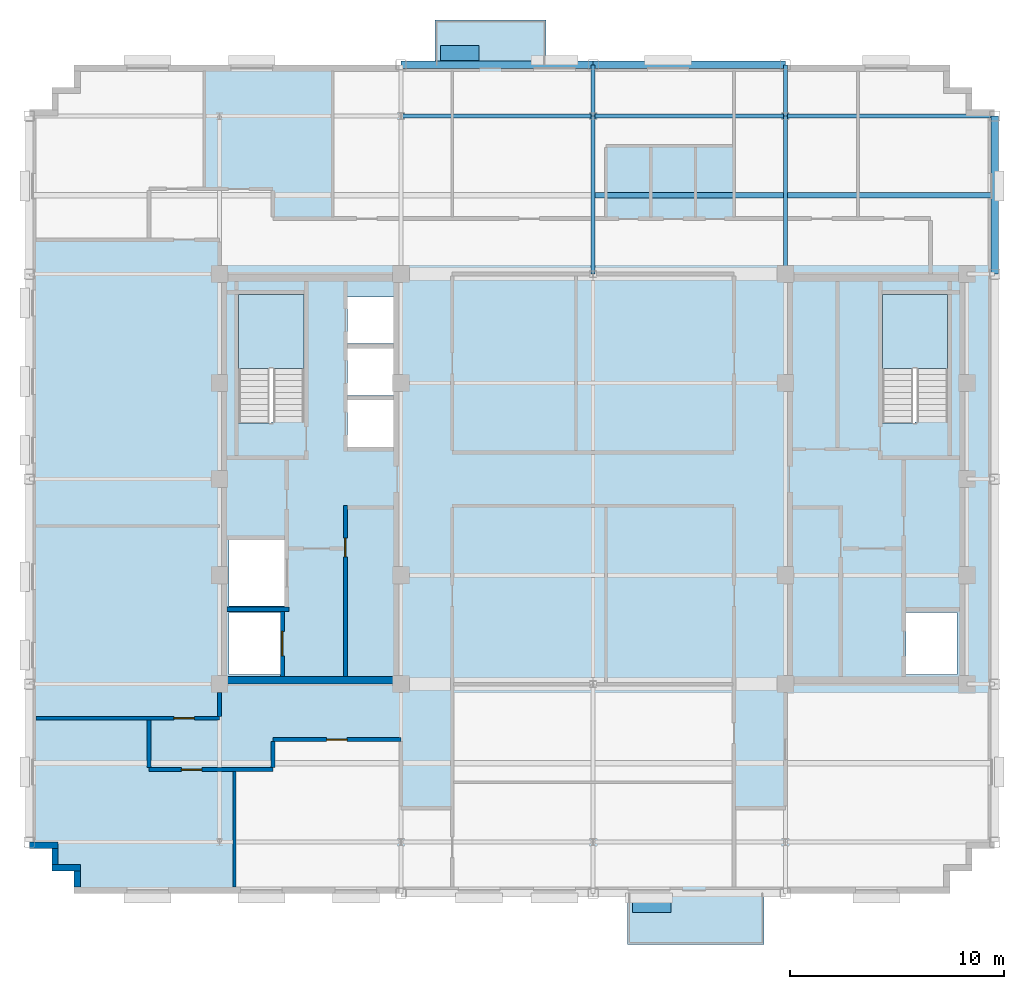
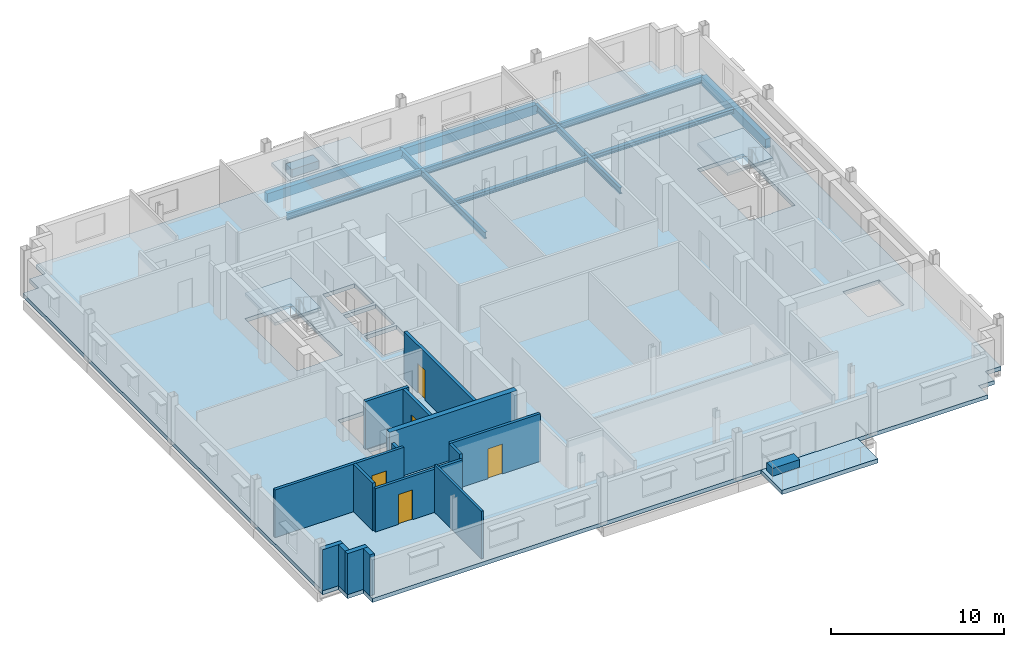
# One storey, part 5 of 13: 15 walls, 12 beams, 5 doors, 5 slabs, 2 plates, 5 openings, 2 elements without a shape of their own.
"""IFC4 building model written with IfcOpenShell, lengths in metres."""

from ifc_helpers import new_model, si_unit, direction, frame, frame_2d, origin, origin_2d, place, context, subcontext, project, spatial, polyline, rectangle, i_section, outline, extrude, source, transform, mapped, material, layer, layer_set, material_profile, profile_set, type_object, type_shapes, element, fill, aggregate, save


model = new_model("IFC4")

# Units and contexts
model_context = context("Model", 3, precision=1e-05, world=origin(), true_north=direction((0.0, 1.0)))
body_context = subcontext(model_context, "Body", "Model", "MODEL_VIEW")
ifc_project = project(units=[si_unit("LENGTHUNIT", "METRE"), si_unit("AREAUNIT", "SQUARE_METRE"), si_unit("VOLUMEUNIT", "CUBIC_METRE"), si_unit("PLANEANGLEUNIT", "RADIAN"), si_unit("MASSUNIT", "GRAM", prefix="KILO")], contexts=[model_context])

# Site, building, storey
site_placement = place(None, origin())
site = spatial("IfcSite", under=ifc_project, at=site_placement, CompositionType="ELEMENT")
building_placement = place(site_placement, origin())
building = spatial("IfcBuilding", under=site, at=building_placement, Name="Nuvemarco Arch Tower", CompositionType="ELEMENT")
storey_placement = place(building_placement, frame((0.0, 0.0, 234.699951171875)))
storey = spatial("IfcBuildingStorey", under=building, at=storey_placement, Name="L62", CompositionType="ELEMENT", Elevation=234.699951171875)

# Beams
ifc_material_1 = material(Name="Steel S355", Category="steel")
ifc_material_profile_1 = material_profile(ifc_material_1, i_section(OverallWidth=0.19189453125, OverallDepth=0.462890625, WebThickness=0.010498046875, FlangeThickness=0.017578125, FilletRadius=0.014892578125, at=origin_2d()), Name="W460x89")
ifc_profile_set_1 = profile_set([ifc_material_profile_1], Name="Steel S355")
beam_type_1 = type_object("IfcBeamType", Name="BM-GIRD-460", PredefinedType="BEAM", material=ifc_profile_set_1)
beam_1_placement = place(storey_placement, frame((0.0, 9.60009765625, -0.511474609375), z_axis=(0.0, 1.0, 0.0), x_axis=(-1.0, 0.0, 0.0)))
element("IfcBeam", 1, at=beam_1_placement, inside=storey, type_object=beam_type_1, Name="L62 structural beam BGNS_L62_0_+0.0_+9.6", PredefinedType="BEAM", context=body_context, shape_type="SweptSolid", body=[
    extrude(i_section(OverallWidth=0.19189453125, OverallDepth=0.462890625, WebThickness=0.010498046875, FlangeThickness=0.017578125, FilletRadius=0.014892578125, at=origin_2d()), origin(), (0.0, 0.0, 1.0), 7.39990234375),
])
beam_2_placement = place(storey_placement, frame((0.0, 17.0, -0.511474609375), z_axis=(0.0, 1.0, 0.0), x_axis=(-1.0, 0.0, 0.0)))
element("IfcBeam", 2, at=beam_2_placement, inside=storey, type_object=beam_type_1, Name="L62 structural beam BGNS_L62_0_+0.0_+17.0", PredefinedType="BEAM", context=body_context, shape_type="SweptSolid", body=[
    extrude(i_section(OverallWidth=0.19189453125, OverallDepth=0.462890625, WebThickness=0.010498046875, FlangeThickness=0.017578125, FilletRadius=0.014892578125, at=origin_2d()), origin(), (0.0, 0.0, 1.0), 2.39990234375),
])
beam_3_placement = place(storey_placement, frame((9.0, 9.60009765625, -0.511474609375), z_axis=(0.0, 1.0, 0.0), x_axis=(-1.0, 0.0, 0.0)))
element("IfcBeam", 3, at=beam_3_placement, inside=storey, type_object=beam_type_1, Name="L62 structural beam BGNS_L62_0_+9.0_+9.6", PredefinedType="BEAM", context=body_context, shape_type="SweptSolid", body=[
    extrude(i_section(OverallWidth=0.19189453125, OverallDepth=0.462890625, WebThickness=0.010498046875, FlangeThickness=0.017578125, FilletRadius=0.014892578125, at=origin_2d()), origin(), (0.0, 0.0, 1.0), 7.39990234375),
])
beam_4_placement = place(storey_placement, frame((9.0, 17.0, -0.511474609375), z_axis=(0.0, 1.0, 0.0), x_axis=(-1.0, 0.0, 0.0)))
element("IfcBeam", 4, at=beam_4_placement, inside=storey, type_object=beam_type_1, Name="L62 structural beam BGNS_L62_0_+9.0_+17.0", PredefinedType="BEAM", context=body_context, shape_type="SweptSolid", body=[
    extrude(i_section(OverallWidth=0.19189453125, OverallDepth=0.462890625, WebThickness=0.010498046875, FlangeThickness=0.017578125, FilletRadius=0.014892578125, at=origin_2d()), origin(), (0.0, 0.0, 1.0), 2.39990234375),
])
for number, where, z_axis, x_axis, name in (
    (5, (-9.0, 17.0, -0.511474609375), (1.0, 0.0, 0.0), (0.0, 1.0, 0.0), "L62 structural beam BGEW_L62_0_+17.0_-9.0"),
    (6, (0.0, 17.0, -0.511474609375), (1.0, 0.0, 0.0), (0.0, 1.0, 0.0), "L62 structural beam BGEW_L62_0_+17.0_+0.0"),
):
    element("IfcBeam", number, at=place(storey_placement, frame(where, z_axis=z_axis, x_axis=x_axis)), inside=storey, type_object=beam_type_1, Name=name, PredefinedType="BEAM", context=body_context, shape_type="SweptSolid", body=[
        extrude(i_section(OverallWidth=0.19189453125, OverallDepth=0.462890625, WebThickness=0.010498046875, FlangeThickness=0.017578125, FilletRadius=0.014892578125, at=origin_2d()), origin(), (0.0, 0.0, 1.0), 9.0),
    ])
beam_5_placement = place(storey_placement, frame((9.0, 17.0, -0.511474609375), z_axis=(1.0, 0.0, 0.0), x_axis=(0.0, 1.0, 0.0)))
element("IfcBeam", 7, at=beam_5_placement, inside=storey, type_object=beam_type_1, Name="L62 structural beam BGEW_L62_0_+17.0_+9.0", PredefinedType="BEAM", context=body_context, shape_type="SweptSolid", body=[
    extrude(i_section(OverallWidth=0.19189453125, OverallDepth=0.462890625, WebThickness=0.010498046875, FlangeThickness=0.017578125, FilletRadius=0.014892578125, at=origin_2d()), origin(), (0.0, 0.0, 1.0), 9.800048828125),
])
ifc_material_profile_2 = material_profile(ifc_material_1, i_section(OverallWidth=0.25390625, OverallDepth=0.305908203125, WebThickness=0.0087890625, FlangeThickness=0.0146484375, FilletRadius=0.014892578125, at=origin_2d()), Name="W310x79")
ifc_profile_set_2 = profile_set([ifc_material_profile_2], Name="Steel S355")
beam_type_2 = type_object("IfcBeamType", Name="BM-JOIST-310H", PredefinedType="JOIST", material=ifc_profile_set_2)
beam_6_placement = place(storey_placement, frame((0.095947265625, 13.300048828125, -0.432861328125), z_axis=(1.0, 0.0, 0.0), x_axis=(0.0, 1.0, 0.0)))
element("IfcBeam", 8, at=beam_6_placement, inside=storey, type_object=beam_type_2, Name="L62 structural beam BJ_L62_0_+13.3_+0.0", PredefinedType="JOIST", context=body_context, shape_type="SweptSolid", body=[
    extrude(i_section(OverallWidth=0.25390625, OverallDepth=0.305908203125, WebThickness=0.0087890625, FlangeThickness=0.0146484375, FilletRadius=0.014892578125, at=origin_2d()), origin(), (0.0, 0.0, 1.0), 8.80810546875),
])
beam_7_placement = place(storey_placement, frame((9.095947265625, 13.300048828125, -0.432861328125), z_axis=(1.0, 0.0, 0.0), x_axis=(0.0, 1.0, 0.0)))
element("IfcBeam", 9, at=beam_7_placement, inside=storey, type_object=beam_type_2, Name="L62 structural beam BJ_L62_0_+13.3_+9.0", PredefinedType="JOIST", context=body_context, shape_type="SweptSolid", body=[
    extrude(i_section(OverallWidth=0.25390625, OverallDepth=0.305908203125, WebThickness=0.0087890625, FlangeThickness=0.0146484375, FilletRadius=0.014892578125, at=origin_2d()), origin(), (0.0, 0.0, 1.0), 9.529052734375),
])
ifc_material_2 = material(Name="Precast concrete C45/55", Category="concrete")
ifc_material_profile_3 = material_profile(ifc_material_2, rectangle(XDim=0.35009765625, YDim=0.64990234375, at=origin_2d()), Name="PC-SP-350x650")
ifc_profile_set_3 = profile_set([ifc_material_profile_3], Name="Precast concrete C45/55")
beam_type_3 = type_object("IfcBeamType", Name="BM-SPAN-RC", PredefinedType="SPANDREL", material=ifc_profile_set_3)
beam_8_placement = place(storey_placement, frame((18.800048828125, 9.60009765625, -0.60498046875), z_axis=(0.0, 1.0, 0.0), x_axis=(-1.0, 0.0, 0.0)))
element("IfcBeam", 10, at=beam_8_placement, inside=storey, type_object=beam_type_3, Name="L62 structural beam BGNS_L62_0_+18.8_+9.6", PredefinedType="SPANDREL", context=body_context, shape_type="SweptSolid", body=[
    extrude(rectangle(XDim=0.35009765625, YDim=0.64990234375, at=origin_2d()), origin(), (0.0, 0.0, 1.0), 7.39990234375),
])
for number, where, z_axis, x_axis, name in (
    (11, (-9.0, 19.39990234375, -0.60498046875), (1.0, 0.0, 0.0), (0.0, 1.0, 0.0), "L62 structural beam BGEW_L62_0_+19.4_-9.0"),
    (12, (0.0, 19.39990234375, -0.60498046875), (1.0, 0.0, 0.0), (0.0, 1.0, 0.0), "L62 structural beam BGEW_L62_0_+19.4_+0.0"),
):
    element("IfcBeam", number, at=place(storey_placement, frame(where, z_axis=z_axis, x_axis=x_axis)), inside=storey, type_object=beam_type_3, Name=name, PredefinedType="SPANDREL", context=body_context, shape_type="SweptSolid", body=[
        extrude(rectangle(XDim=0.35009765625, YDim=0.64990234375, at=origin_2d()), origin(), (0.0, 0.0, 1.0), 9.0),
    ])

# Slab
ifc_material_3 = material(Name="Concrete C50/60", Category="concrete")
ifc_layer_1 = layer(ifc_material_3, 0.280029296875, Name="SL-FLR-280")
ifc_layer_set_1 = layer_set([ifc_layer_1], Name="Concrete C50/60")
slab_type_1 = type_object("IfcSlabType", Name="SL-FLR-280", PredefinedType="FLOOR", material=ifc_layer_set_1)
slab_1_placement = place(storey_placement, frame((0.0, 0.0, -0.280029296875)))
element("IfcSlab", 13, at=slab_1_placement, inside=storey, type_object=slab_type_1, Name="L62 structural floor slab", PredefinedType="FLOOR", context=body_context, shape_type="SweptSolid", body=[
    extrude(outline(polyline([(-24.300048828125, -19.39990234375), (16.699951171875, -19.39990234375), (16.699951171875, -18.35009765625), (17.75, -18.35009765625), (17.75, -17.300048828125), (18.800048828125, -17.300048828125), (18.800048828125, 17.300048828125), (17.75, 17.300048828125), (17.75, 18.35009765625), (16.699951171875, 18.35009765625), (16.699951171875, 19.39990234375), (-24.300048828125, 19.39990234375), (-24.300048828125, 18.35009765625), (-25.35009765625, 18.35009765625), (-25.35009765625, 17.300048828125), (-26.39990234375, 17.300048828125), (-26.39990234375, -17.300048828125), (-25.35009765625, -17.300048828125), (-25.35009765625, -18.35009765625), (-24.300048828125, -18.35009765625), (-24.300048828125, -19.39990234375)]), holes=[polyline([(-13.5400390625, 2.669921875), (-13.5400390625, 8.64990234375), (-16.60009765625, 8.64990234375), (-16.60009765625, 2.630615234375), (-15.070068359375, 2.630615234375), (-15.070068359375, 2.669921875), (-13.5400390625, 2.669921875)]), polyline([(16.60009765625, 2.669921875), (16.60009765625, 8.64990234375), (13.5400390625, 8.64990234375), (13.5400390625, 2.630615234375), (15.070068359375, 2.630615234375), (15.070068359375, 2.669921875), (16.60009765625, 2.669921875)]), polyline([(-17.050048828125, -9.14990234375), (-14.64990234375, -9.14990234375), (-14.64990234375, -6.25), (-17.050048828125, -6.25), (-17.050048828125, -9.14990234375)]), polyline([(-17.050048828125, -5.949951171875), (-14.449951171875, -5.949951171875), (-14.449951171875, -2.85009765625), (-17.050048828125, -2.85009765625), (-17.050048828125, -5.949951171875)]), polyline([(-11.5, 1.5), (-9.35009765625, 1.5), (-9.35009765625, 3.699951171875), (-11.5, 3.699951171875), (-11.5, 1.5)]), polyline([(-11.5, 3.919921875), (-9.35009765625, 3.919921875), (-9.35009765625, 6.1201171875), (-11.5, 6.1201171875), (-11.5, 3.919921875)]), polyline([(-11.5, 6.340087890625), (-9.35009765625, 6.340087890625), (-9.35009765625, 8.5400390625), (-11.5, 8.5400390625), (-11.5, 6.340087890625)]), polyline([(14.64990234375, -9.14990234375), (17.050048828125, -9.14990234375), (17.050048828125, -6.25), (14.64990234375, -6.25), (14.64990234375, -9.14990234375)])]), origin(), (0.0, 0.0, 1.0), 0.280029296875),
])

# Stair, slab
stair_type = type_object("IfcStairType", Name="ST-CORE-20R", PredefinedType="HALF_TURN_STAIR", material=ifc_material_2)
stair_1_placement = place(storey_placement, origin())
stair_1 = element("IfcStair", 14, at=stair_1_placement, inside=storey, type_object=stair_type, Name="L62 Protected Exit Stair ST-1", PredefinedType="HALF_TURN_STAIR")
ifc_layer_2 = layer(ifc_material_2, 0.199951171875, Name="SL-LANDING-200")
ifc_layer_set_2 = layer_set([ifc_layer_2], Name="Precast concrete C45/55")
slab_type_2 = type_object("IfcSlabType", Name="SL-LANDING-200", PredefinedType="LANDING", material=ifc_layer_set_2)
slab_2_placement = place(storey_placement, frame((0.0, 0.0, 1.625)))
slab_2 = element("IfcSlab", 15, at=slab_2_placement, type_object=slab_type_2, Name="ST-20R landing 1", PredefinedType="LANDING", context=body_context, shape_type="SweptSolid", body=[
    extrude(outline(polyline([(-13.5400390625, 5.189453125), (-13.5400390625, 8.64990234375), (-16.60009765625, 8.64990234375), (-16.60009765625, 5.169921875), (-15.070068359375, 5.169921875), (-15.070068359375, 5.189453125), (-13.5400390625, 5.189453125)])), origin(), (0.0, 0.0, 1.0), 0.199951171875),
])
aggregate(stair_1, [slab_2])

stair_2_placement = place(storey_placement, origin())
stair_2 = element("IfcStair", 16, at=stair_2_placement, inside=storey, type_object=stair_type, Name="L62 Protected Exit Stair ST-2", PredefinedType="HALF_TURN_STAIR")
slab_3_placement = place(storey_placement, frame((0.0, 0.0, 1.625)))
slab_3 = element("IfcSlab", 17, at=slab_3_placement, type_object=slab_type_2, Name="ST-20R landing 1", PredefinedType="LANDING", context=body_context, shape_type="SweptSolid", body=[
    extrude(outline(polyline([(16.60009765625, 5.189453125), (16.60009765625, 8.64990234375), (13.5400390625, 8.64990234375), (13.5400390625, 5.169921875), (15.070068359375, 5.169921875), (15.070068359375, 5.189453125), (16.60009765625, 5.189453125)])), origin(), (0.0, 0.0, 1.0), 0.199951171875),
])
aggregate(stair_2, [slab_3])

# Slabs
ifc_layer_3 = layer(ifc_material_3, 0.264892578125, Name="SL-TB1")
ifc_layer_set_3 = layer_set([ifc_layer_3], Name="Concrete C50/60")
slab_type_3 = type_object("IfcSlabType", Name="SL-TB1", PredefinedType="FLOOR", material=ifc_layer_set_3)
slab_4_placement = place(storey_placement, frame((0.0, 0.0, -0.264892578125)))
element("IfcSlab", 18, at=slab_4_placement, inside=storey, type_object=slab_type_3, Name="L62 outdoor tree balcony slab 2", PredefinedType="FLOOR", context=body_context, shape_type="SweptSolid", body=[
    extrude(outline(polyline([(-7.39990234375, 19.39990234375), (-2.199951171875, 19.39990234375), (-2.199951171875, 21.5), (-7.39990234375, 21.5), (-7.39990234375, 19.39990234375)])), origin(), (0.0, 0.0, 1.0), 0.264892578125),
])
ifc_layer_4 = layer(ifc_material_3, 0.294921875, Name="SL-TR4")
ifc_layer_set_4 = layer_set([ifc_layer_4], Name="Concrete C50/60")
slab_type_4 = type_object("IfcSlabType", Name="SL-TR4", PredefinedType="FLOOR", material=ifc_layer_set_4)
slab_5_placement = place(storey_placement, frame((0.0, 0.0, -0.294921875)))
element("IfcSlab", 19, at=slab_5_placement, inside=storey, type_object=slab_type_4, Name="L62 outdoor spiral terrace slab 1", PredefinedType="FLOOR", context=body_context, shape_type="SweptSolid", body=[
    extrude(outline(polyline([(1.60009765625, -21.800048828125), (8.0, -21.800048828125), (8.0, -19.39990234375), (1.60009765625, -19.39990234375), (1.60009765625, -21.800048828125)])), origin(), (0.0, 0.0, 1.0), 0.294921875),
])

# Plates
ifc_layer_5 = layer(ifc_material_2, 0.550048828125, Name="Tree Balcony Structural Planter")
ifc_layer_set_5 = layer_set([ifc_layer_5], Name="Precast concrete C45/55")
plate_type = type_object("IfcPlateType", Name="Tree Balcony Structural Planter", PredefinedType="USERDEFINED", material=ifc_layer_set_5)
shared_shape_1 = source(origin(), body_context, "Body", "SweptSolid", [
    extrude(rectangle(XDim=1.800048828125, YDim=0.699951171875, at=origin_2d()), origin(), (0.0, 0.0, 1.0), 0.550048828125),
])
type_shapes(plate_type, [shared_shape_1])
for number, where, z_axis, x_axis, name in (
    (20, (2.75, -19.949951171875, 0.0), (0.0, 0.0, 1.0), (1.0, 0.0, 0.0), "L62 Tree Balcony Structural Planter"),
    (21, (-6.25, 19.949951171875, 0.0), (0.0, 0.0, 1.0), (1.0, 0.0, 0.0), "L62 Tree Balcony Structural Planter"),
):
    element("IfcPlate", number, at=place(storey_placement, frame(where, z_axis=z_axis, x_axis=x_axis)), inside=storey, type_object=plate_type, Name=name, ObjectType="PLANTER", PredefinedType="USERDEFINED", context=body_context, shape_type="MappedRepresentation", body=[
        mapped(shared_shape_1, transform((0.0, 0.0, 0.0), scale=1.0)),
    ])

# Walls
ifc_layer_6 = layer(ifc_material_2, 0.300048828125, Name="EW-HIGH-300")
ifc_layer_set_6 = layer_set([ifc_layer_6], Name="Precast concrete C45/55")
wall_type_1 = type_object("IfcWallType", Name="EW-HIGH-300", PredefinedType="STANDARD", material=ifc_layer_set_6)
wall_1_placement = place(storey_placement, frame((-26.39990234375, -17.14990234375, 0.0), z_axis=(0.0, 0.0, 1.0), x_axis=(1.0, 0.0, 0.0)))
element("IfcWall", 22, at=wall_1_placement, inside=storey, type_object=wall_type_1, Name="L62 exterior precast facade wall 17", PredefinedType="STANDARD", context=body_context, shape_type="SweptSolid", body=[
    extrude(rectangle(XDim=1.349853515625, YDim=0.300048828125, at=frame_2d((0.6748046875, 0.0))), origin(), (0.0, 0.0, 1.0), 2.89208984375),
])
wall_2_placement = place(storey_placement, frame((-25.199951171875, -18.053955078125, 0.0), z_axis=(0.0, 0.0, 1.0), x_axis=(0.0, 1.0, 0.0)))
element("IfcWall", 23, at=wall_2_placement, inside=storey, type_object=wall_type_1, Name="L62 exterior precast facade wall 18", PredefinedType="STANDARD", context=body_context, shape_type="SweptSolid", body=[
    extrude(rectangle(XDim=0.758056640625, YDim=0.300048828125, at=frame_2d((0.37890625, 0.0))), origin(), (0.0, 0.0, 1.0), 2.89208984375),
])
wall_3_placement = place(storey_placement, frame((-25.35009765625, -18.199951171875, 0.0), z_axis=(0.0, 0.0, 1.0), x_axis=(1.0, 0.0, 0.0)))
element("IfcWall", 24, at=wall_3_placement, inside=storey, type_object=wall_type_1, Name="L62 exterior precast facade wall 19", PredefinedType="STANDARD", context=body_context, shape_type="SweptSolid", body=[
    extrude(rectangle(XDim=1.35009765625, YDim=0.300048828125, at=frame_2d((0.675048828125, 0.0))), origin(), (0.0, 0.0, 1.0), 2.89208984375),
])
wall_4_placement = place(storey_placement, frame((-24.14990234375, -19.10400390625, 0.0), z_axis=(0.0, 0.0, 1.0), x_axis=(0.0, 1.0, 0.0)))
element("IfcWall", 25, at=wall_4_placement, inside=storey, type_object=wall_type_1, Name="L62 exterior precast facade wall 20", PredefinedType="STANDARD", context=body_context, shape_type="SweptSolid", body=[
    extrude(rectangle(XDim=0.758056640625, YDim=0.300048828125, at=frame_2d((0.37890625, 0.0))), origin(), (0.0, 0.0, 1.0), 2.89208984375),
])
ifc_layer_7 = layer(ifc_material_3, 0.35009765625, Name="WL-CORE-350")
ifc_layer_set_7 = layer_set([ifc_layer_7], Name="Concrete C50/60")
wall_type_2 = type_object("IfcWallType", Name="WL-CORE-350", PredefinedType="SHEAR", material=ifc_layer_set_7)
wall_5_placement = place(storey_placement, frame((-17.5, -9.425048828125, 0.0), z_axis=(0.0, 0.0, 1.0), x_axis=(1.0, 0.0, 0.0)))
element("IfcWall", 26, at=wall_5_placement, inside=storey, type_object=wall_type_2, Name="L62 W-core shear wall S", PredefinedType="SHEAR", context=body_context, shape_type="SweptSolid", body=[
    extrude(rectangle(XDim=8.5, YDim=0.35009765625, at=frame_2d((4.25, 0.0))), origin(), (0.0, 0.0, 1.0), 3.3701171875),
])

# Wall, opening, door
ifc_material_4 = material(Name="Fire-rated gypsum drywall partition")
ifc_layer_8 = layer(ifc_material_4, 0.179931640625, Name="WL-CORR-180")
ifc_layer_set_8 = layer_set([ifc_layer_8], Name="Fire-rated gypsum drywall partition")
wall_type_3 = type_object("IfcWallType", Name="WL-CORR-180", PredefinedType="PARTITIONING", material=ifc_layer_set_8)
wall_6_placement = place(storey_placement, frame((-20.800048828125, -13.60009765625, 0.0), z_axis=(0.0, 0.0, 1.0), x_axis=(1.0, 0.0, 0.0)))
wall_6 = element("IfcWall", 27, at=wall_6_placement, inside=storey, type_object=wall_type_3, Name="L62 interior wall IW-L62-004", PredefinedType="PARTITIONING", context=body_context, shape_type="SweptSolid", body=[
    extrude(rectangle(XDim=5.800048828125, YDim=0.179931640625, at=frame_2d((2.89990234375, 0.0))), origin(), (0.0, 0.0, 1.0), 3.049072265625),
])
opening_1_placement = place(wall_6_placement, frame((1.52001953125, 0.0, 0.0)))
opening_1 = element("IfcOpeningElement", 28, at=opening_1_placement, cuts=wall_6, Name="Opening FD-5", PredefinedType="OPENING", context=body_context, shape_type="SweptSolid", body=[
    extrude(rectangle(XDim=0.9599609375, YDim=2.10009765625, at=frame_2d((0.47998046875, 1.050048828125))), frame((0.0, 0.099853515625, 0.0), z_axis=(0.0, -1.0, 0.0), x_axis=(1.0, 0.0, 0.0)), (0.0, 0.0, 1.0), 0.199951171875),
])
ifc_material_5 = material(Name="Timber fire door", Category="wood")
door_type_1 = type_object("IfcDoorType", Name="DR-CORR-FD", OperationType="NOTDEFINED", PredefinedType="DOOR", material=ifc_material_5)
shared_shape_2 = source(origin(), body_context, "Body", "SweptSolid", [
    extrude(rectangle(XDim=0.9599609375, YDim=2.10009765625, at=frame_2d((0.47998046875, 1.050048828125))), frame((0.0, 0.02490234375, 0.0), z_axis=(0.0, -1.0, 0.0), x_axis=(1.0, 0.0, 0.0)), (0.0, 0.0, 1.0), 0.050048828125),
])
type_shapes(door_type_1, [shared_shape_2])
door_1_placement = place(opening_1_placement, origin())
door_1 = element("IfcDoor", 29, at=door_1_placement, inside=storey, type_object=door_type_1, Name="L62 door DR-L62-S_1", OperationType="SINGLE_SWING_RIGHT", OverallHeight=2.10009765625, OverallWidth=0.9599609375, PredefinedType="DOOR", context=body_context, shape_type="MappedRepresentation", body=[
    mapped(shared_shape_2, transform((0.0, 0.0, 0.0), scale=1.0)),
])
fill(opening_1, door_1)

wall_7_placement = place(storey_placement, frame((-15.0, -12.199951171875, 0.0), z_axis=(0.0, 0.0, 1.0), x_axis=(1.0, 0.0, 0.0)))
wall_7 = element("IfcWall", 30, at=wall_7_placement, inside=storey, type_object=wall_type_3, Name="L62 interior wall IW-L62-005", PredefinedType="PARTITIONING", context=body_context, shape_type="SweptSolid", body=[
    extrude(rectangle(XDim=6.0, YDim=0.179931640625, at=frame_2d((3.0, 0.0))), origin(), (0.0, 0.0, 1.0), 3.360107421875),
])
opening_2_placement = place(wall_7_placement, frame((2.52001953125, 0.0, 0.0)))
opening_2 = element("IfcOpeningElement", 31, at=opening_2_placement, cuts=wall_7, Name="Opening FD-5", PredefinedType="OPENING", context=body_context, shape_type="SweptSolid", body=[
    extrude(rectangle(XDim=0.9599609375, YDim=2.10009765625, at=frame_2d((0.47998046875, 1.050048828125))), frame((0.0, 0.099853515625, 0.0), z_axis=(0.0, -1.0, 0.0), x_axis=(1.0, 0.0, 0.0)), (0.0, 0.0, 1.0), 0.199951171875),
])
door_2_placement = place(opening_2_placement, origin())
door_2 = element("IfcDoor", 32, at=door_2_placement, inside=storey, type_object=door_type_1, Name="L62 door DR-L62-S_2", OperationType="SINGLE_SWING_LEFT", OverallHeight=2.10009765625, OverallWidth=0.9599609375, PredefinedType="DOOR", context=body_context, shape_type="MappedRepresentation", body=[
    mapped(shared_shape_2, transform((0.0, 0.0, 0.0), scale=1.0)),
])
fill(opening_2, door_2)

wall_8_placement = place(storey_placement, frame((-26.10009765625, -11.199951171875, 0.0), z_axis=(0.0, 0.0, 1.0), x_axis=(1.0, 0.0, 0.0)))
wall_8 = element("IfcWall", 33, at=wall_8_placement, inside=storey, type_object=wall_type_3, Name="L62 interior wall IW-L62-006", PredefinedType="PARTITIONING", context=body_context, shape_type="SweptSolid", body=[
    extrude(rectangle(XDim=8.60009765625, YDim=0.179931640625, at=frame_2d((4.300048828125, 0.0))), origin(), (0.0, 0.0, 1.0), 3.360107421875),
])
opening_3_placement = place(wall_8_placement, frame((6.469970703125, 0.0, 0.0)))
opening_3 = element("IfcOpeningElement", 34, at=opening_3_placement, cuts=wall_8, Name="Opening FD-5", PredefinedType="OPENING", context=body_context, shape_type="SweptSolid", body=[
    extrude(rectangle(XDim=0.9599609375, YDim=2.10009765625, at=frame_2d((0.47998046875, 1.050048828125))), frame((0.0, 0.099853515625, 0.0), z_axis=(0.0, -1.0, 0.0), x_axis=(1.0, 0.0, 0.0)), (0.0, 0.0, 1.0), 0.199951171875),
])
door_3_placement = place(opening_3_placement, origin())
door_3 = element("IfcDoor", 35, at=door_3_placement, inside=storey, type_object=door_type_1, Name="L62 door DR-L62-W_1", OperationType="SINGLE_SWING_LEFT", OverallHeight=2.10009765625, OverallWidth=0.9599609375, PredefinedType="DOOR", context=body_context, shape_type="MappedRepresentation", body=[
    mapped(shared_shape_2, transform((0.0, 0.0, 0.0), scale=1.0)),
])
fill(opening_3, door_3)

# Walls
wall_9_placement = place(storey_placement, frame((-20.800048828125, -13.513916015625, 0.0), z_axis=(0.0, 0.0, 1.0), x_axis=(0.0, 1.0, 0.0)))
element("IfcWall", 36, at=wall_9_placement, inside=storey, type_object=wall_type_3, Name="L62 interior wall IW-L62-018", PredefinedType="PARTITIONING", context=body_context, shape_type="SweptSolid", body=[
    extrude(rectangle(XDim=2.22802734375, YDim=0.179931640625, at=frame_2d((1.114013671875, 0.0))), origin(), (0.0, 0.0, 1.0), 3.360107421875),
])
wall_10_placement = place(storey_placement, frame((-17.5, -11.114013671875, 0.0), z_axis=(0.0, 0.0, 1.0), x_axis=(0.0, 1.0, 0.0)))
element("IfcWall", 37, at=wall_10_placement, inside=storey, type_object=wall_type_3, Name="L62 interior wall IW-L62-021", PredefinedType="PARTITIONING", context=body_context, shape_type="SweptSolid", body=[
    extrude(rectangle(XDim=1.117919921875, YDim=0.179931640625, at=frame_2d((0.55908203125, 0.0))), origin(), (0.0, 0.0, 1.0), 2.89208984375),
])
wall_11_placement = place(storey_placement, frame((-15.0, -13.513916015625, 0.0), z_axis=(0.0, 0.0, 1.0), x_axis=(0.0, 1.0, 0.0)))
element("IfcWall", 38, at=wall_11_placement, inside=storey, type_object=wall_type_3, Name="L62 interior wall IW-L62-024", PredefinedType="PARTITIONING", context=body_context, shape_type="SweptSolid", body=[
    extrude(rectangle(XDim=1.22802734375, YDim=0.179931640625, at=frame_2d((0.614013671875, 0.0))), origin(), (0.0, 0.0, 1.0), 3.360107421875),
])
ifc_material_6 = material(Name="Gypsum plasterboard partition")
ifc_layer_9 = layer(ifc_material_6, 0.139892578125, Name="WL-ROOM-140")
ifc_layer_set_9 = layer_set([ifc_layer_9], Name="Gypsum plasterboard partition")
wall_type_4 = type_object("IfcWallType", Name="WL-ROOM-140", PredefinedType="PARTITIONING", material=ifc_layer_set_9)
wall_12_placement = place(storey_placement, frame((-16.800048828125, -19.10009765625, 0.0), z_axis=(0.0, 0.0, 1.0), x_axis=(0.0, 1.0, 0.0)))
element("IfcWall", 39, at=wall_12_placement, inside=storey, type_object=wall_type_4, Name="L62 interior wall IW-L62-023", PredefinedType="PARTITIONING", context=body_context, shape_type="SweptSolid", body=[
    extrude(rectangle(XDim=5.4140625, YDim=0.139892578125, at=frame_2d((2.70703125, 0.0))), origin(), (0.0, 0.0, 1.0), 3.360107421875),
])

# Wall, opening, door
ifc_layer_10 = layer(ifc_material_3, 0.199951171875, Name="WL-SHAFT-220")
ifc_layer_set_10 = layer_set([ifc_layer_10], Name="Concrete C50/60")
wall_type_5 = type_object("IfcWallType", Name="WL-SHAFT-220", PredefinedType="SHEAR", material=ifc_layer_set_10)
wall_13_placement = place(storey_placement, frame((-14.550048828125, -9.2548828125, 0.0), z_axis=(0.0, 0.0, 1.0), x_axis=(0.0, 1.0, 0.0)))
wall_13 = element("IfcWall", 40, at=wall_13_placement, inside=storey, type_object=wall_type_5, Name="L62 structural shaft wall SW-L62-W-SHE", PredefinedType="SHEAR", context=body_context, shape_type="SweptSolid", body=[
    extrude(rectangle(XDim=3.059814453125, YDim=0.199951171875, at=frame_2d((1.52978515625, 0.0))), origin(), (0.0, 0.0, 1.0), 3.3701171875),
])
opening_4_placement = place(wall_13_placement, frame((0.97998046875, 0.0, 0.0)))
opening_4 = element("IfcOpeningElement", 41, at=opening_4_placement, cuts=wall_13, Name="Opening LD-2", PredefinedType="OPENING", context=body_context, shape_type="SweptSolid", body=[
    extrude(rectangle(XDim=1.14990234375, YDim=2.14990234375, at=frame_2d((0.574951171875, 1.074951171875))), frame((0.0, 0.10986328125, 0.0), z_axis=(0.0, -1.0, 0.0), x_axis=(1.0, 0.0, 0.0)), (0.0, 0.0, 1.0), 0.219970703125),
])
ifc_material_7 = material(Name="Stainless steel lift door", Category="steel")
door_type_2 = type_object("IfcDoorType", Name="DR-LIFT-FIRE", OperationType="DOUBLE_DOOR_SLIDING", PredefinedType="DOOR", material=ifc_material_7)
shared_shape_3 = source(origin(), body_context, "Body", "SweptSolid", [
    extrude(rectangle(XDim=1.14990234375, YDim=2.14990234375, at=frame_2d((0.574951171875, 1.074951171875))), frame((0.0, 0.02490234375, 0.0), z_axis=(0.0, -1.0, 0.0), x_axis=(1.0, 0.0, 0.0)), (0.0, 0.0, 1.0), 0.050048828125),
])
type_shapes(door_type_2, [shared_shape_3])
door_4_placement = place(opening_4_placement, origin())
door_4 = element("IfcDoor", 42, at=door_4_placement, inside=storey, type_object=door_type_2, Name="L62 Lift landing sliding door FFL-1", OperationType="DOUBLE_DOOR_SLIDING", OverallHeight=2.14990234375, OverallWidth=1.14990234375, PredefinedType="DOOR", context=body_context, shape_type="MappedRepresentation", body=[
    mapped(shared_shape_3, transform((0.0, 0.0, 0.0), scale=1.0)),
])
fill(opening_4, door_4)

# Wall
wall_14_placement = place(storey_placement, frame((-17.155029296875, -6.10009765625, 0.0), z_axis=(0.0, 0.0, 1.0), x_axis=(1.0, 0.0, 0.0)))
element("IfcWall", 43, at=wall_14_placement, inside=storey, type_object=wall_type_5, Name="L62 structural shaft wall SW-L62-W-SH1", PredefinedType="SHEAR", context=body_context, shape_type="SweptSolid", body=[
    extrude(rectangle(XDim=2.905029296875, YDim=0.199951171875, at=frame_2d((1.45263671875, 0.0))), origin(), (0.0, 0.0, 1.0), 3.3701171875),
])

# Wall, opening, door
wall_15_placement = place(storey_placement, frame((-11.60009765625, -9.2548828125, 0.0), z_axis=(0.0, 0.0, 1.0), x_axis=(0.0, 1.0, 0.0)))
wall_15 = element("IfcWall", 44, at=wall_15_placement, inside=storey, type_object=wall_type_5, Name="L62 structural shaft wall SW-L62-W-PLW", PredefinedType="SHEAR", context=body_context, shape_type="SweptSolid", body=[
    extrude(rectangle(XDim=8.02490234375, YDim=0.199951171875, at=frame_2d((4.012451171875, 0.0))), origin(), (0.0, 0.0, 1.0), 3.3701171875),
])
opening_5_placement = place(wall_15_placement, frame((5.614990234375, 0.0, 0.0)))
opening_5 = element("IfcOpeningElement", 45, at=opening_5_placement, cuts=wall_15, Name="Opening FD-4", PredefinedType="OPENING", context=body_context, shape_type="SweptSolid", body=[
    extrude(rectangle(XDim=0.8798828125, YDim=2.10009765625, at=frame_2d((0.43994140625, 1.050048828125))), frame((0.0, 0.10986328125, 0.0), z_axis=(0.0, -1.0, 0.0), x_axis=(1.0, 0.0, 0.0)), (0.0, 0.0, 1.0), 0.219970703125),
])
ifc_material_8 = material(Name="Anodised steel fire door", Category="steel")
door_type_3 = type_object("IfcDoorType", Name="DR-RISER-FD", OperationType="NOTDEFINED", PredefinedType="DOOR", material=ifc_material_8)
shared_shape_4 = source(origin(), body_context, "Body", "SweptSolid", [
    extrude(rectangle(XDim=0.8798828125, YDim=2.10009765625, at=frame_2d((0.43994140625, 1.050048828125))), frame((0.0, 0.02490234375, 0.0), z_axis=(0.0, -1.0, 0.0), x_axis=(1.0, 0.0, 0.0)), (0.0, 0.0, 1.0), 0.050048828125),
])
type_shapes(door_type_3, [shared_shape_4])
door_5_placement = place(opening_5_placement, origin())
door_5 = element("IfcDoor", 46, at=door_5_placement, inside=storey, type_object=door_type_3, Name="L62 door FD-L62-WREC1", OperationType="SINGLE_SWING_RIGHT", OverallHeight=2.10009765625, OverallWidth=0.8798828125, PredefinedType="DOOR", context=body_context, shape_type="MappedRepresentation", body=[
    mapped(shared_shape_4, transform((0.0, 0.0, 0.0), scale=1.0)),
])
fill(opening_5, door_5)

save(model, "model.ifc")
